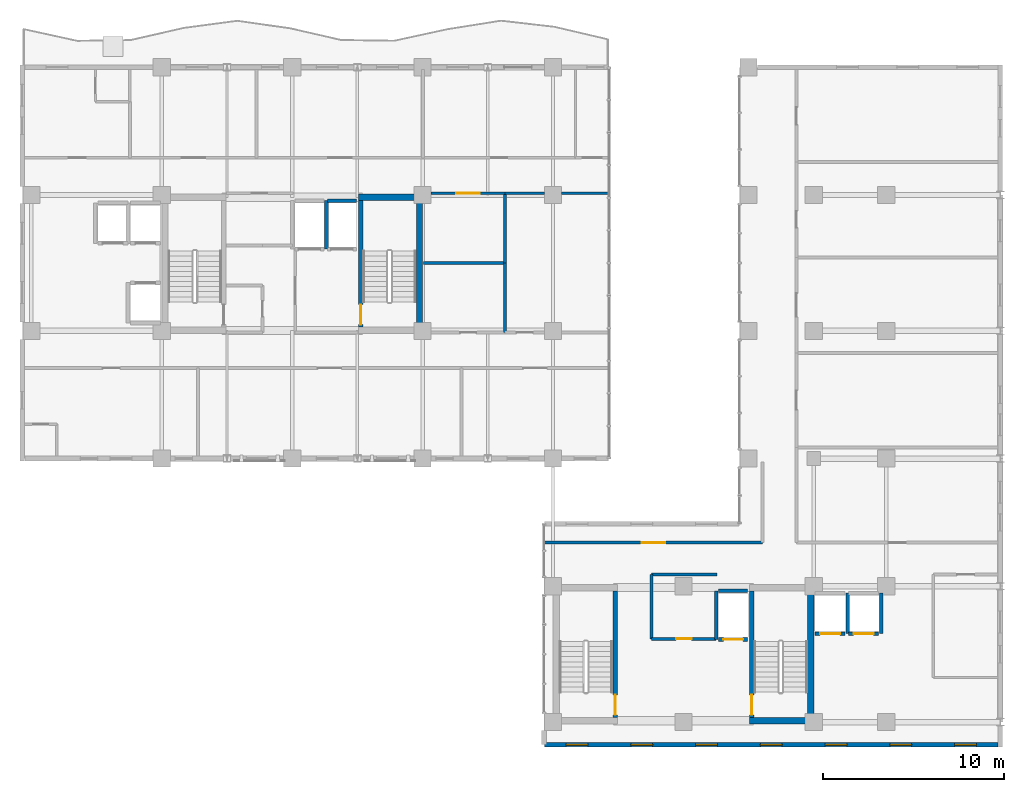
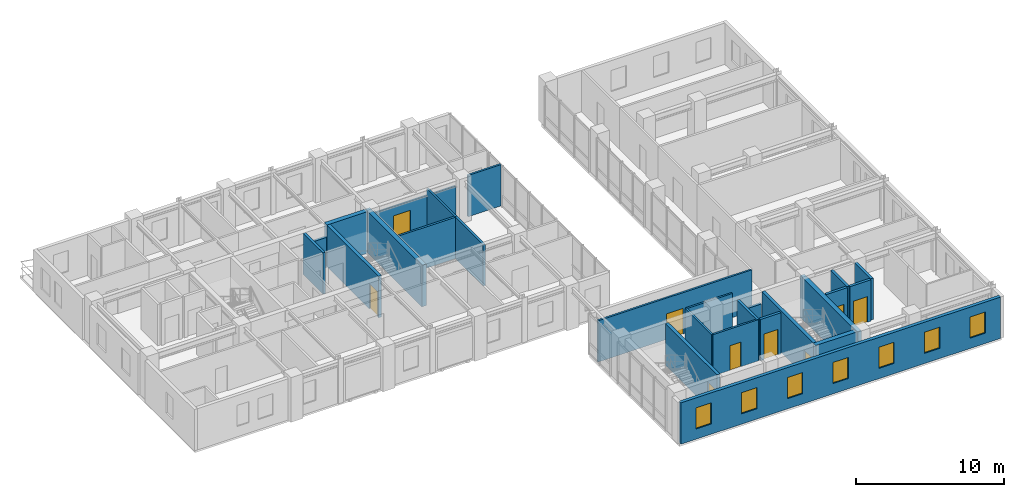
# One storey, part 18 of 24: 27 walls, 9 doors, 7 windows, 16 openings.
"""IFC4 building model written with IfcOpenShell, lengths in metres."""

from ifc_helpers import new_model, si_unit, direction, frame, frame_2d, origin, place, context, subcontext, project, spatial, rectangle, extrude, material, layer, layer_set, type_object, element, fill, save


model = new_model("IFC4")

# Units and contexts
model_context = context("Model", 3, precision=1e-05, world=origin(), true_north=direction((0.0, 1.0)))
body_context = subcontext(model_context, "Body", "Model", "MODEL_VIEW")
ifc_project = project(units=[si_unit("LENGTHUNIT", "METRE"), si_unit("AREAUNIT", "SQUARE_METRE"), si_unit("VOLUMEUNIT", "CUBIC_METRE"), si_unit("PLANEANGLEUNIT", "RADIAN"), si_unit("MASSUNIT", "GRAM", prefix="KILO")], contexts=[model_context])

# Site, building, storey
site_placement = place(None, origin())
site = spatial("IfcSite", under=ifc_project, at=site_placement, CompositionType="ELEMENT")
building_placement = place(site_placement, origin())
building = spatial("IfcBuilding", under=site, at=building_placement, Name="Kaliganga Portal Commons", CompositionType="ELEMENT")
storey_placement = place(building_placement, frame((0.0, 0.0, 235.10009765625)))
storey = spatial("IfcBuildingStorey", under=building, at=storey_placement, Name="L60", CompositionType="ELEMENT", Elevation=235.10009765625)

# Walls
ifc_material_1 = material(Name="Concrete C50/60", Category="concrete")
ifc_layer_1 = layer(ifc_material_1, 0.35009765625)
ifc_layer_set_1 = layer_set([ifc_layer_1], Name="Concrete C50/60")
wall_type_1 = type_object("IfcWallType", Name="WL-CORE-350", PredefinedType="SHEAR", material=ifc_layer_set_1)
wall_1_placement = place(storey_placement, frame((28.625, 28.5, 0.0), z_axis=(0.0, 0.0, 1.0), x_axis=(0.0, 1.0, 0.0)))
element("IfcWall", 1, at=wall_1_placement, inside=storey, type_object=wall_type_1, Name="Core A East Shear Wall L60", PredefinedType="SHEAR", context=body_context, shape_type="SweptSolid", body=[
    extrude(rectangle(XDim=7.699951171875, YDim=0.35009765625, at=frame_2d((3.85009765625, 0.0))), origin(), (0.0, 0.0, 1.0), 3.43994140625),
])
wall_2_placement = place(storey_placement, frame((25.25, 36.02490234375, 0.0), z_axis=(0.0, 0.0, 1.0), x_axis=(1.0, 0.0, 0.0)))
element("IfcWall", 2, at=wall_2_placement, inside=storey, type_object=wall_type_1, Name="Core A N-East Shear Wall L60", PredefinedType="SHEAR", context=body_context, shape_type="SweptSolid", body=[
    extrude(rectangle(XDim=3.199951171875, YDim=0.35009765625, at=frame_2d((1.60009765625, 0.0))), origin(), (0.0, 0.0, 1.0), 3.43994140625),
])
wall_3_placement = place(storey_placement, frame((50.22509765625, 6.949951171875, 0.0), z_axis=(0.0, 0.0, 1.0), x_axis=(0.0, 1.0, 0.0)))
element("IfcWall", 3, at=wall_3_placement, inside=storey, type_object=wall_type_1, Name="Core B East Shear Wall L60", PredefinedType="SHEAR", context=body_context, shape_type="SweptSolid", body=[
    extrude(rectangle(XDim=7.699951171875, YDim=0.35009765625, at=frame_2d((3.85009765625, 0.0))), origin(), (0.0, 0.0, 1.0), 3.43994140625),
])
wall_4_placement = place(storey_placement, frame((46.85009765625, 7.125, 0.0), z_axis=(0.0, 0.0, 1.0), x_axis=(1.0, 0.0, 0.0)))
element("IfcWall", 4, at=wall_4_placement, inside=storey, type_object=wall_type_1, Name="Core B S-East Shear Wall L60", PredefinedType="SHEAR", context=body_context, shape_type="SweptSolid", body=[
    extrude(rectangle(XDim=3.199951171875, YDim=0.35009765625, at=frame_2d((1.60009765625, 0.0))), origin(), (0.0, 0.0, 1.0), 3.43994140625),
])

# Wall, openings, windows
ifc_material_2 = material(Name="Insulated Aluminium-Clad Spandrel Assembly", Category="aluminium")
ifc_layer_2 = layer(ifc_material_2, 0.260009765625)
ifc_layer_set_2 = layer_set([ifc_layer_2], Name="Insulated Aluminium-Clad Spandrel Assembly")
wall_type_2 = type_object("IfcWallType", Name="WL-EXT-SPAND-260", PredefinedType="STANDARD", material=ifc_layer_set_2)
wall_5_placement = place(storey_placement, frame((60.56494140625, 5.800048828125, 0.0), z_axis=(0.0, 0.0, 1.0), x_axis=(-1.0, 0.0, 0.0)))
wall_5 = element("IfcWall", 5, at=wall_5_placement, inside=storey, type_object=wall_type_2, Name="Exterior Envelope Wall L60 P2-E00-S1", PredefinedType="STANDARD", context=body_context, shape_type="SweptSolid", body=[
    extrude(rectangle(XDim=25.02783203125, YDim=0.260009765625, at=frame_2d((12.513916015625, 0.0))), origin(), (0.0, 0.0, 1.0), 3.419921875),
])
opening_1_placement = place(wall_5_placement, frame((1.187744140625, 0.0, 0.85009765625)))
opening_1 = element("IfcOpeningElement", 6, at=opening_1_placement, cuts=wall_5, Name="Opening W-03", PredefinedType="OPENING", context=body_context, shape_type="SweptSolid", body=[
    extrude(rectangle(XDim=1.199951171875, YDim=1.75, at=frame_2d((0.60009765625, 0.875))), frame((0.0, 0.14013671875, 0.0), z_axis=(0.0, -1.0, 0.0), x_axis=(1.0, 0.0, 0.0)), (0.0, 0.0, 1.0), 0.280029296875),
])
opening_2_placement = place(wall_5_placement, frame((4.76318359375, 0.0, 0.85009765625)))
opening_2 = element("IfcOpeningElement", 7, at=opening_2_placement, cuts=wall_5, Name="Opening W-03", PredefinedType="OPENING", context=body_context, shape_type="SweptSolid", body=[
    extrude(rectangle(XDim=1.199951171875, YDim=1.75, at=frame_2d((0.60009765625, 0.875))), frame((0.0, 0.14013671875, 0.0), z_axis=(0.0, -1.0, 0.0), x_axis=(1.0, 0.0, 0.0)), (0.0, 0.0, 1.0), 0.280029296875),
])
opening_3_placement = place(wall_5_placement, frame((8.338623046875, 0.0, 0.85009765625)))
opening_3 = element("IfcOpeningElement", 8, at=opening_3_placement, cuts=wall_5, Name="Opening W-03", PredefinedType="OPENING", context=body_context, shape_type="SweptSolid", body=[
    extrude(rectangle(XDim=1.199951171875, YDim=1.75, at=frame_2d((0.60009765625, 0.875))), frame((0.0, 0.14013671875, 0.0), z_axis=(0.0, -1.0, 0.0), x_axis=(1.0, 0.0, 0.0)), (0.0, 0.0, 1.0), 0.280029296875),
])
opening_4_placement = place(wall_5_placement, frame((11.9140625, 0.0, 0.85009765625)))
opening_4 = element("IfcOpeningElement", 9, at=opening_4_placement, cuts=wall_5, Name="Opening W-03", PredefinedType="OPENING", context=body_context, shape_type="SweptSolid", body=[
    extrude(rectangle(XDim=1.199951171875, YDim=1.75, at=frame_2d((0.60009765625, 0.875))), frame((0.0, 0.14013671875, 0.0), z_axis=(0.0, -1.0, 0.0), x_axis=(1.0, 0.0, 0.0)), (0.0, 0.0, 1.0), 0.280029296875),
])
opening_5_placement = place(wall_5_placement, frame((15.489501953125, 0.0, 0.85009765625)))
opening_5 = element("IfcOpeningElement", 10, at=opening_5_placement, cuts=wall_5, Name="Opening W-03", PredefinedType="OPENING", context=body_context, shape_type="SweptSolid", body=[
    extrude(rectangle(XDim=1.199951171875, YDim=1.75, at=frame_2d((0.60009765625, 0.875))), frame((0.0, 0.14013671875, 0.0), z_axis=(0.0, -1.0, 0.0), x_axis=(1.0, 0.0, 0.0)), (0.0, 0.0, 1.0), 0.280029296875),
])
opening_6_placement = place(wall_5_placement, frame((19.06494140625, 0.0, 0.85009765625)))
opening_6 = element("IfcOpeningElement", 11, at=opening_6_placement, cuts=wall_5, Name="Opening W-03", PredefinedType="OPENING", context=body_context, shape_type="SweptSolid", body=[
    extrude(rectangle(XDim=1.199951171875, YDim=1.75, at=frame_2d((0.60009765625, 0.875))), frame((0.0, 0.14013671875, 0.0), z_axis=(0.0, -1.0, 0.0), x_axis=(1.0, 0.0, 0.0)), (0.0, 0.0, 1.0), 0.280029296875),
])
opening_7_placement = place(wall_5_placement, frame((22.640380859375, 0.0, 0.85009765625)))
opening_7 = element("IfcOpeningElement", 12, at=opening_7_placement, cuts=wall_5, Name="Opening W-03", PredefinedType="OPENING", context=body_context, shape_type="SweptSolid", body=[
    extrude(rectangle(XDim=1.199951171875, YDim=1.75, at=frame_2d((0.60009765625, 0.875))), frame((0.0, 0.14013671875, 0.0), z_axis=(0.0, -1.0, 0.0), x_axis=(1.0, 0.0, 0.0)), (0.0, 0.0, 1.0), 0.280029296875),
])
ifc_material_3 = material(Name="Thermally Broken Aluminium and Low-E Double Glazing", Category="aluminium")
window_type = type_object("IfcWindowType", Name="WIN-STD-1200", PartitioningType="SINGLE_PANEL", PredefinedType="WINDOW", material=ifc_material_3)
window_1_placement = place(opening_1_placement, origin())
window_1 = element("IfcWindow", 13, at=window_1_placement, inside=storey, type_object=window_type, Name="Facade Window L60-P2E00S1-00", OverallHeight=1.75, OverallWidth=1.199951171875, PartitioningType="SINGLE_PANEL", PredefinedType="WINDOW", context=body_context, shape_type="SweptSolid", body=[
    extrude(rectangle(XDim=1.199951171875, YDim=1.75, at=frame_2d((0.60009765625, 0.875))), frame((0.0, 0.030029296875, 0.0), z_axis=(0.0, -1.0, 0.0), x_axis=(1.0, 0.0, 0.0)), (0.0, 0.0, 1.0), 0.06005859375),
])
fill(opening_1, window_1)
window_2_placement = place(opening_2_placement, origin())
window_2 = element("IfcWindow", 14, at=window_2_placement, inside=storey, type_object=window_type, Name="Facade Window L60-P2E00S1-01", OverallHeight=1.75, OverallWidth=1.199951171875, PartitioningType="SINGLE_PANEL", PredefinedType="WINDOW", context=body_context, shape_type="SweptSolid", body=[
    extrude(rectangle(XDim=1.199951171875, YDim=1.75, at=frame_2d((0.60009765625, 0.875))), frame((0.0, 0.030029296875, 0.0), z_axis=(0.0, -1.0, 0.0), x_axis=(1.0, 0.0, 0.0)), (0.0, 0.0, 1.0), 0.06005859375),
])
fill(opening_2, window_2)
window_3_placement = place(opening_3_placement, origin())
window_3 = element("IfcWindow", 15, at=window_3_placement, inside=storey, type_object=window_type, Name="Facade Window L60-P2E00S1-02", OverallHeight=1.75, OverallWidth=1.199951171875, PartitioningType="SINGLE_PANEL", PredefinedType="WINDOW", context=body_context, shape_type="SweptSolid", body=[
    extrude(rectangle(XDim=1.199951171875, YDim=1.75, at=frame_2d((0.60009765625, 0.875))), frame((0.0, 0.030029296875, 0.0), z_axis=(0.0, -1.0, 0.0), x_axis=(1.0, 0.0, 0.0)), (0.0, 0.0, 1.0), 0.06005859375),
])
fill(opening_3, window_3)
window_4_placement = place(opening_4_placement, origin())
window_4 = element("IfcWindow", 16, at=window_4_placement, inside=storey, type_object=window_type, Name="Facade Window L60-P2E00S1-03", OverallHeight=1.75, OverallWidth=1.199951171875, PartitioningType="SINGLE_PANEL", PredefinedType="WINDOW", context=body_context, shape_type="SweptSolid", body=[
    extrude(rectangle(XDim=1.199951171875, YDim=1.75, at=frame_2d((0.60009765625, 0.875))), frame((0.0, 0.030029296875, 0.0), z_axis=(0.0, -1.0, 0.0), x_axis=(1.0, 0.0, 0.0)), (0.0, 0.0, 1.0), 0.06005859375),
])
fill(opening_4, window_4)
window_5_placement = place(opening_5_placement, origin())
window_5 = element("IfcWindow", 17, at=window_5_placement, inside=storey, type_object=window_type, Name="Facade Window L60-P2E00S1-04", OverallHeight=1.75, OverallWidth=1.199951171875, PartitioningType="SINGLE_PANEL", PredefinedType="WINDOW", context=body_context, shape_type="SweptSolid", body=[
    extrude(rectangle(XDim=1.199951171875, YDim=1.75, at=frame_2d((0.60009765625, 0.875))), frame((0.0, 0.030029296875, 0.0), z_axis=(0.0, -1.0, 0.0), x_axis=(1.0, 0.0, 0.0)), (0.0, 0.0, 1.0), 0.06005859375),
])
fill(opening_5, window_5)
window_6_placement = place(opening_6_placement, origin())
window_6 = element("IfcWindow", 18, at=window_6_placement, inside=storey, type_object=window_type, Name="Facade Window L60-P2E00S1-05", OverallHeight=1.75, OverallWidth=1.199951171875, PartitioningType="SINGLE_PANEL", PredefinedType="WINDOW", context=body_context, shape_type="SweptSolid", body=[
    extrude(rectangle(XDim=1.199951171875, YDim=1.75, at=frame_2d((0.60009765625, 0.875))), frame((0.0, 0.030029296875, 0.0), z_axis=(0.0, -1.0, 0.0), x_axis=(1.0, 0.0, 0.0)), (0.0, 0.0, 1.0), 0.06005859375),
])
fill(opening_6, window_6)
window_7_placement = place(opening_7_placement, origin())
window_7 = element("IfcWindow", 19, at=window_7_placement, inside=storey, type_object=window_type, Name="Facade Window L60-P2E00S1-06", OverallHeight=1.75, OverallWidth=1.199951171875, PartitioningType="SINGLE_PANEL", PredefinedType="WINDOW", context=body_context, shape_type="SweptSolid", body=[
    extrude(rectangle(XDim=1.199951171875, YDim=1.75, at=frame_2d((0.60009765625, 0.875))), frame((0.0, 0.030029296875, 0.0), z_axis=(0.0, -1.0, 0.0), x_axis=(1.0, 0.0, 0.0)), (0.0, 0.0, 1.0), 0.06005859375),
])
fill(opening_7, window_7)

# Wall, opening, door
ifc_material_4 = material(Name="Fire-Rated Gypsum Board on Steel Stud", Category="steel")
ifc_layer_3 = layer(ifc_material_4, 0.14990234375)
ifc_layer_set_3 = layer_set([ifc_layer_3], Name="Fire-Rated Gypsum Board on Steel Stud")
wall_type_3 = type_object("IfcWallType", Name="WL-PART-CORR-150", PredefinedType="PARTITIONING", material=ifc_layer_set_3)
wall_6_placement = place(storey_placement, frame((35.52001953125, 16.9599609375, 0.0), z_axis=(0.0, 0.0, 1.0), x_axis=(1.0, 0.0, 0.0)))
wall_6 = element("IfcWall", 20, at=wall_6_placement, inside=storey, type_object=wall_type_3, Name="Interior Partition L60-007", PredefinedType="PARTITIONING", context=body_context, shape_type="SweptSolid", body=[
    extrude(rectangle(XDim=12.0400390625, YDim=0.14990234375, at=frame_2d((6.02001953125, 0.0))), origin(), (0.0, 0.0, 1.0), 3.419921875),
])
opening_8_placement = place(wall_6_placement, frame((5.3701171875, 0.0, 0.0)))
opening_8 = element("IfcOpeningElement", 21, at=opening_8_placement, cuts=wall_6, Name="Opening RD-03", PredefinedType="OPENING", context=body_context, shape_type="SweptSolid", body=[
    extrude(rectangle(XDim=1.300048828125, YDim=2.1201171875, at=frame_2d((0.64990234375, 1.06005859375))), frame((0.0, 0.0849609375, 0.0), z_axis=(0.0, -1.0, 0.0), x_axis=(1.0, 0.0, 0.0)), (0.0, 0.0, 1.0), 0.169921875),
])
ifc_material_5 = material(Name="Glazed Timber Seminar Vision Door", Category="wood")
door_type_1 = type_object("IfcDoorType", Name="DR-STUDY-1300", OperationType="DOUBLE_DOOR_SINGLE_SWING", PredefinedType="DOOR", material=ifc_material_5)
door_1_placement = place(opening_8_placement, origin())
door_1 = element("IfcDoor", 22, at=door_1_placement, inside=storey, type_object=door_type_1, Name="Interior Door L60-BPW01", OperationType="DOUBLE_DOOR_SINGLE_SWING", OverallHeight=2.1201171875, OverallWidth=1.300048828125, PredefinedType="DOOR", context=body_context, shape_type="SweptSolid", body=[
    extrude(rectangle(XDim=1.300048828125, YDim=2.1201171875, at=frame_2d((0.64990234375, 1.06005859375))), frame((0.0, 0.02490234375, 0.0), z_axis=(0.0, -1.0, 0.0), x_axis=(1.0, 0.0, 0.0)), (0.0, 0.0, 1.0), 0.050048828125),
])
fill(opening_8, door_1)

# Walls
wall_7_placement = place(storey_placement, frame((33.360107421875, 36.239990234375, 0.0), z_axis=(0.0, 0.0, 1.0), x_axis=(1.0, 0.0, 0.0)))
element("IfcWall", 23, at=wall_7_placement, inside=storey, type_object=wall_type_3, Name="Interior Partition L60-017", PredefinedType="PARTITIONING", context=body_context, shape_type="SweptSolid", body=[
    extrude(rectangle(XDim=2.164794921875, YDim=0.14990234375, at=frame_2d((1.08251953125, 0.0))), origin(), (0.0, 0.0, 1.0), 2.869873046875),
])
wall_8_placement = place(storey_placement, frame((36.47509765625, 36.239990234375, 0.0), z_axis=(0.0, 0.0, 1.0), x_axis=(1.0, 0.0, 0.0)))
element("IfcWall", 24, at=wall_8_placement, inside=storey, type_object=wall_type_3, Name="Interior Partition L60-018", PredefinedType="PARTITIONING", context=body_context, shape_type="SweptSolid", body=[
    extrude(rectangle(XDim=2.60498046875, YDim=0.14990234375, at=frame_2d((1.302490234375, 0.0))), origin(), (0.0, 0.0, 1.0), 3.419921875),
])

# Wall, opening, door
wall_9_placement = place(storey_placement, frame((29.27490234375, 36.239990234375, 0.0), z_axis=(0.0, 0.0, 1.0), x_axis=(1.0, 0.0, 0.0)))
wall_9 = element("IfcWall", 25, at=wall_9_placement, inside=storey, type_object=wall_type_3, Name="Interior Partition L60-025", PredefinedType="PARTITIONING", context=body_context, shape_type="SweptSolid", body=[
    extrude(rectangle(XDim=4.085205078125, YDim=0.14990234375, at=frame_2d((2.04248046875, 0.0))), origin(), (0.0, 0.0, 1.0), 2.869873046875),
])
opening_9_placement = place(wall_9_placement, frame((1.392578125, 0.0, 0.0)))
opening_9 = element("IfcOpeningElement", 26, at=opening_9_placement, cuts=wall_9, Name="Opening RD-03", PredefinedType="OPENING", context=body_context, shape_type="SweptSolid", body=[
    extrude(rectangle(XDim=1.300048828125, YDim=2.1201171875, at=frame_2d((0.64990234375, 1.06005859375))), frame((0.0, 0.0849609375, 0.0), z_axis=(0.0, -1.0, 0.0), x_axis=(1.0, 0.0, 0.0)), (0.0, 0.0, 1.0), 0.169921875),
])
door_2_placement = place(opening_9_placement, origin())
door_2 = element("IfcDoor", 27, at=door_2_placement, inside=storey, type_object=door_type_1, Name="Interior Door L60-CSRV_A2", OperationType="DOUBLE_DOOR_SINGLE_SWING", OverallHeight=2.1201171875, OverallWidth=1.300048828125, PredefinedType="DOOR", context=body_context, shape_type="SweptSolid", body=[
    extrude(rectangle(XDim=1.300048828125, YDim=2.1201171875, at=frame_2d((0.64990234375, 1.06005859375))), frame((0.0, 0.02490234375, 0.0), z_axis=(0.0, -1.0, 0.0), x_axis=(1.0, 0.0, 0.0)), (0.0, 0.0, 1.0), 0.050048828125),
])
fill(opening_9, door_2)

wall_10_placement = place(storey_placement, frame((41.43994140625, 11.639892578125, 0.0), z_axis=(0.0, 0.0, 1.0), x_axis=(1.0, 0.0, 0.0)))
wall_10 = element("IfcWall", 28, at=wall_10_placement, inside=storey, type_object=wall_type_3, Name="Interior Partition L60-029", PredefinedType="PARTITIONING", context=body_context, shape_type="SweptSolid", body=[
    extrude(rectangle(XDim=3.570068359375, YDim=0.14990234375, at=frame_2d((1.78515625, 0.0))), origin(), (0.0, 0.0, 1.0), 3.419921875),
])
opening_10_placement = place(wall_10_placement, frame((1.360107421875, 0.0, 0.0)))
opening_10 = element("IfcOpeningElement", 29, at=opening_10_placement, cuts=wall_10, Name="Opening WD-01", PredefinedType="OPENING", context=body_context, shape_type="SweptSolid", body=[
    extrude(rectangle(XDim=0.85009765625, YDim=2.0400390625, at=frame_2d((0.425048828125, 1.02001953125))), frame((0.0, 0.0849609375, 0.0), z_axis=(0.0, -1.0, 0.0), x_axis=(1.0, 0.0, 0.0)), (0.0, 0.0, 1.0), 0.169921875),
])
ifc_material_6 = material(Name="Moisture-Resistant Laminate Timber Door", Category="wood")
door_type_2 = type_object("IfcDoorType", Name="DR-WET-850", OperationType="NOTDEFINED", PredefinedType="DOOR", material=ifc_material_6)
door_3_placement = place(opening_10_placement, origin())
door_3 = element("IfcDoor", 30, at=door_3_placement, inside=storey, type_object=door_type_2, Name="Interior Door L60-CREC_B1", OperationType="SINGLE_SWING_LEFT", OverallHeight=2.0400390625, OverallWidth=0.85009765625, PredefinedType="DOOR", context=body_context, shape_type="SweptSolid", body=[
    extrude(rectangle(XDim=0.85009765625, YDim=2.0400390625, at=frame_2d((0.425048828125, 1.02001953125))), frame((0.0, 0.02490234375, 0.0), z_axis=(0.0, -1.0, 0.0), x_axis=(1.0, 0.0, 0.0)), (0.0, 0.0, 1.0), 0.050048828125),
])
fill(opening_10, door_3)

# Walls
wall_11_placement = place(storey_placement, frame((41.43994140625, 15.199951171875, 0.0), z_axis=(0.0, 0.0, 1.0), x_axis=(1.0, 0.0, 0.0)))
element("IfcWall", 31, at=wall_11_placement, inside=storey, type_object=wall_type_3, Name="Interior Partition L60-030", PredefinedType="PARTITIONING", context=body_context, shape_type="SweptSolid", body=[
    extrude(rectangle(XDim=3.60009765625, YDim=0.14990234375, at=frame_2d((1.800048828125, 0.0))), origin(), (0.0, 0.0, 1.0), 3.419921875),
])
wall_12_placement = place(storey_placement, frame((41.43994140625, 11.639892578125, 0.0), z_axis=(0.0, 0.0, 1.0), x_axis=(0.0, 1.0, 0.0)))
element("IfcWall", 32, at=wall_12_placement, inside=storey, type_object=wall_type_3, Name="Interior Partition L60-031", PredefinedType="PARTITIONING", context=body_context, shape_type="SweptSolid", body=[
    extrude(rectangle(XDim=3.56005859375, YDim=0.14990234375, at=frame_2d((1.780029296875, 0.0))), origin(), (0.0, 0.0, 1.0), 3.419921875),
])
ifc_material_7 = material(Name="Twin-Stud Acoustic Gypsum Partition", Category="gypsum")
ifc_layer_4 = layer(ifc_material_7, 0.1650390625)
ifc_layer_set_4 = layer_set([ifc_layer_4], Name="Twin-Stud Acoustic Gypsum Partition")
wall_type_4 = type_object("IfcWallType", Name="WL-PART-UNIT-165", PredefinedType="PARTITIONING", material=ifc_layer_set_4)
wall_13_placement = place(storey_placement, frame((28.840087890625, 32.39990234375, 0.0), z_axis=(0.0, 0.0, 1.0), x_axis=(1.0, 0.0, 0.0)))
element("IfcWall", 33, at=wall_13_placement, inside=storey, type_object=wall_type_4, Name="Interior Partition L60-050", PredefinedType="PARTITIONING", context=body_context, shape_type="SweptSolid", body=[
    extrude(rectangle(XDim=4.52001953125, YDim=0.1650390625, at=frame_2d((2.260009765625, 0.0))), origin(), (0.0, 0.0, 1.0), 3.419921875),
])
wall_14_placement = place(storey_placement, frame((33.360107421875, 32.39990234375, 0.0), z_axis=(0.0, 0.0, 1.0), x_axis=(0.0, 1.0, 0.0)))
element("IfcWall", 34, at=wall_14_placement, inside=storey, type_object=wall_type_4, Name="Interior Partition L60-051", PredefinedType="PARTITIONING", context=body_context, shape_type="SweptSolid", body=[
    extrude(rectangle(XDim=3.840087890625, YDim=0.1650390625, at=frame_2d((1.919921875, 0.0))), origin(), (0.0, 0.0, 1.0), 3.419921875),
])
wall_15_placement = place(storey_placement, frame((33.360107421875, 28.56005859375, 0.0), z_axis=(0.0, 0.0, 1.0), x_axis=(0.0, 1.0, 0.0)))
element("IfcWall", 35, at=wall_15_placement, inside=storey, type_object=wall_type_4, Name="Interior Partition L60-052", PredefinedType="PARTITIONING", context=body_context, shape_type="SweptSolid", body=[
    extrude(rectangle(XDim=3.83984375, YDim=0.1650390625, at=frame_2d((1.919921875, 0.0))), origin(), (0.0, 0.0, 1.0), 3.419921875),
])
ifc_material_8 = material(Name="Fire-Rated Shaftwall Masonry Assembly", Category="masonry")
ifc_layer_5 = layer(ifc_material_8, 0.199951171875)
ifc_layer_set_5 = layer_set([ifc_layer_5], Name="Fire-Rated Shaftwall Masonry Assembly")
wall_type_5 = type_object("IfcWallType", Name="WL-SHAFT-200", PredefinedType="PARTITIONING", material=ifc_layer_set_5)
wall_16_placement = place(storey_placement, frame((23.489990234375, 33.159912109375, 0.0), z_axis=(0.0, 0.0, 1.0), x_axis=(0.0, 1.0, 0.0)))
element("IfcWall", 36, at=wall_16_placement, inside=storey, type_object=wall_type_5, Name="Lift FFL-1 Hoistway Shaft Wall L60-E", PredefinedType="PARTITIONING", context=body_context, shape_type="SweptSolid", body=[
    extrude(rectangle(XDim=2.68017578125, YDim=0.199951171875, at=frame_2d((1.340087890625, 0.0))), origin(), (0.0, 0.0, 1.0), 3.419921875),
])
wall_17_placement = place(storey_placement, frame((23.550048828125, 35.840087890625, 0.0), z_axis=(0.0, 0.0, 1.0), x_axis=(1.0, 0.0, 0.0)))
element("IfcWall", 37, at=wall_17_placement, inside=storey, type_object=wall_type_5, Name="Lift FFL-2 Hoistway Shaft Wall L60-N", PredefinedType="PARTITIONING", context=body_context, shape_type="SweptSolid", body=[
    extrude(rectangle(XDim=1.599853515625, YDim=0.199951171875, at=frame_2d((0.7998046875, 0.0))), origin(), (0.0, 0.0, 1.0), 2.52001953125),
])

# Wall, opening, door
wall_18_placement = place(storey_placement, frame((50.47509765625, 11.93505859375, 0.0), z_axis=(0.0, 0.0, 1.0), x_axis=(1.0, 0.0, 0.0)))
wall_18 = element("IfcWall", 38, at=wall_18_placement, inside=storey, type_object=wall_type_5, Name="Lift PL-B3 Hoistway Shaft Wall L60-S", PredefinedType="PARTITIONING", context=body_context, shape_type="SweptSolid", body=[
    extrude(rectangle(XDim=1.64990234375, YDim=0.199951171875, at=frame_2d((0.824951171875, 0.0))), origin(), (0.0, 0.0, 1.0), 3.419921875),
])
opening_11_placement = place(wall_18_placement, frame((0.27490234375, 0.0, 0.0)))
opening_11 = element("IfcOpeningElement", 39, at=opening_11_placement, cuts=wall_18, Name="Opening LD-01", PredefinedType="OPENING", context=body_context, shape_type="SweptSolid", body=[
    extrude(rectangle(XDim=1.10009765625, YDim=2.1201171875, at=frame_2d((0.550048828125, 1.06005859375))), frame((0.0, 0.10986328125, 0.0), z_axis=(0.0, -1.0, 0.0), x_axis=(1.0, 0.0, 0.0)), (0.0, 0.0, 1.0), 0.219970703125),
])
ifc_material_9 = material(Name="Brushed Stainless Steel 316 Lift Landing Door", Category="steel")
door_type_3 = type_object("IfcDoorType", Name="DR-LIFT-1100", OperationType="SLIDING_TO_LEFT", PredefinedType="DOOR", material=ifc_material_9)
door_4_placement = place(opening_11_placement, origin())
door_4 = element("IfcDoor", 40, at=door_4_placement, inside=storey, type_object=door_type_3, Name="Lift PL-B3 Sliding Landing Door L60", OperationType="SLIDING_TO_LEFT", OverallHeight=2.1201171875, OverallWidth=1.10009765625, PredefinedType="DOOR", context=body_context, shape_type="SweptSolid", body=[
    extrude(rectangle(XDim=1.10009765625, YDim=2.1201171875, at=frame_2d((0.550048828125, 1.06005859375))), frame((0.0, 0.02490234375, 0.0), z_axis=(0.0, -1.0, 0.0), x_axis=(1.0, 0.0, 0.0)), (0.0, 0.0, 1.0), 0.050048828125),
])
fill(opening_11, door_4)

# Wall
wall_19_placement = place(storey_placement, frame((52.264892578125, 11.93505859375, 0.0), z_axis=(0.0, 0.0, 1.0), x_axis=(0.0, 1.0, 0.0)))
element("IfcWall", 41, at=wall_19_placement, inside=storey, type_object=wall_type_5, Name="Lift PL-B3 Hoistway Shaft Wall L60-E", PredefinedType="PARTITIONING", context=body_context, shape_type="SweptSolid", body=[
    extrude(rectangle(XDim=2.22998046875, YDim=0.199951171875, at=frame_2d((1.114990234375, 0.0))), origin(), (0.0, 0.0, 1.0), 3.419921875),
])

# Wall, opening, door
wall_20_placement = place(storey_placement, frame((52.324951171875, 11.93505859375, 0.0), z_axis=(0.0, 0.0, 1.0), x_axis=(1.0, 0.0, 0.0)))
wall_20 = element("IfcWall", 42, at=wall_20_placement, inside=storey, type_object=wall_type_5, Name="Lift PL-B4 Hoistway Shaft Wall L60-S", PredefinedType="PARTITIONING", context=body_context, shape_type="SweptSolid", body=[
    extrude(rectangle(XDim=1.650146484375, YDim=0.199951171875, at=frame_2d((0.8251953125, 0.0))), origin(), (0.0, 0.0, 1.0), 3.419921875),
])
opening_12_placement = place(wall_20_placement, frame((0.27490234375, 0.0, 0.0)))
opening_12 = element("IfcOpeningElement", 43, at=opening_12_placement, cuts=wall_20, Name="Opening LD-01", PredefinedType="OPENING", context=body_context, shape_type="SweptSolid", body=[
    extrude(rectangle(XDim=1.10009765625, YDim=2.1201171875, at=frame_2d((0.550048828125, 1.06005859375))), frame((0.0, 0.10986328125, 0.0), z_axis=(0.0, -1.0, 0.0), x_axis=(1.0, 0.0, 0.0)), (0.0, 0.0, 1.0), 0.219970703125),
])
door_5_placement = place(opening_12_placement, origin())
door_5 = element("IfcDoor", 44, at=door_5_placement, inside=storey, type_object=door_type_3, Name="Lift PL-B4 Sliding Landing Door L60", OperationType="SLIDING_TO_LEFT", OverallHeight=2.1201171875, OverallWidth=1.10009765625, PredefinedType="DOOR", context=body_context, shape_type="SweptSolid", body=[
    extrude(rectangle(XDim=1.10009765625, YDim=2.1201171875, at=frame_2d((0.550048828125, 1.06005859375))), frame((0.0, 0.02490234375, 0.0), z_axis=(0.0, -1.0, 0.0), x_axis=(1.0, 0.0, 0.0)), (0.0, 0.0, 1.0), 0.050048828125),
])
fill(opening_12, door_5)

# Wall
wall_21_placement = place(storey_placement, frame((54.114990234375, 11.93505859375, 0.0), z_axis=(0.0, 0.0, 1.0), x_axis=(0.0, 1.0, 0.0)))
element("IfcWall", 45, at=wall_21_placement, inside=storey, type_object=wall_type_5, Name="Lift PL-B4 Hoistway Shaft Wall L60-E", PredefinedType="PARTITIONING", context=body_context, shape_type="SweptSolid", body=[
    extrude(rectangle(XDim=2.22998046875, YDim=0.199951171875, at=frame_2d((1.114990234375, 0.0))), origin(), (0.0, 0.0, 1.0), 3.419921875),
])

# Wall, opening, door
wall_22_placement = place(storey_placement, frame((45.14990234375, 11.610107421875, 0.0), z_axis=(0.0, 0.0, 1.0), x_axis=(1.0, 0.0, 0.0)))
wall_22 = element("IfcWall", 46, at=wall_22_placement, inside=storey, type_object=wall_type_5, Name="Lift SL-B1 Hoistway Shaft Wall L60-S", PredefinedType="PARTITIONING", context=body_context, shape_type="SweptSolid", body=[
    extrude(rectangle(XDim=1.60009765625, YDim=0.199951171875, at=frame_2d((0.800048828125, 0.0))), origin(), (0.0, 0.0, 1.0), 3.419921875),
])
opening_13_placement = place(wall_22_placement, frame((0.25, 0.0, 0.0)))
opening_13 = element("IfcOpeningElement", 47, at=opening_13_placement, cuts=wall_22, Name="Opening LD-01", PredefinedType="OPENING", context=body_context, shape_type="SweptSolid", body=[
    extrude(rectangle(XDim=1.10009765625, YDim=2.1201171875, at=frame_2d((0.550048828125, 1.06005859375))), frame((0.0, 0.10986328125, 0.0), z_axis=(0.0, -1.0, 0.0), x_axis=(1.0, 0.0, 0.0)), (0.0, 0.0, 1.0), 0.219970703125),
])
door_6_placement = place(opening_13_placement, origin())
door_6 = element("IfcDoor", 48, at=door_6_placement, inside=storey, type_object=door_type_3, Name="Lift SL-B1 Sliding Landing Door L60", OperationType="SLIDING_TO_LEFT", OverallHeight=2.1201171875, OverallWidth=1.10009765625, PredefinedType="DOOR", context=body_context, shape_type="SweptSolid", body=[
    extrude(rectangle(XDim=1.10009765625, YDim=2.1201171875, at=frame_2d((0.550048828125, 1.06005859375))), frame((0.0, 0.02490234375, 0.0), z_axis=(0.0, -1.0, 0.0), x_axis=(1.0, 0.0, 0.0)), (0.0, 0.0, 1.0), 0.050048828125),
])
fill(opening_13, door_6)

# Walls
wall_23_placement = place(storey_placement, frame((45.14990234375, 14.2900390625, 0.0), z_axis=(0.0, 0.0, 1.0), x_axis=(1.0, 0.0, 0.0)))
element("IfcWall", 49, at=wall_23_placement, inside=storey, type_object=wall_type_5, Name="Lift SL-B1 Hoistway Shaft Wall L60-N", PredefinedType="PARTITIONING", context=body_context, shape_type="SweptSolid", body=[
    extrude(rectangle(XDim=1.60009765625, YDim=0.199951171875, at=frame_2d((0.800048828125, 0.0))), origin(), (0.0, 0.0, 1.0), 2.52001953125),
])
wall_24_placement = place(storey_placement, frame((45.010009765625, 11.610107421875, 0.0), z_axis=(0.0, 0.0, 1.0), x_axis=(0.0, 1.0, 0.0)))
element("IfcWall", 50, at=wall_24_placement, inside=storey, type_object=wall_type_5, Name="Lift SL-B1 Hoistway Shaft Wall L60-W", PredefinedType="PARTITIONING", context=body_context, shape_type="SweptSolid", body=[
    extrude(rectangle(XDim=2.679931640625, YDim=0.199951171875, at=frame_2d((1.33984375, 0.0))), origin(), (0.0, 0.0, 1.0), 3.419921875),
])

# Wall, opening, door
ifc_layer_6 = layer(ifc_material_1, 0.25)
ifc_layer_set_6 = layer_set([ifc_layer_6], Name="Concrete C50/60")
wall_type_6 = type_object("IfcWallType", Name="WL-STAIR-250", PredefinedType="SHEAR", material=ifc_layer_set_6)
wall_25_placement = place(storey_placement, frame((25.375, 28.85009765625, 0.0), z_axis=(0.0, 0.0, 1.0), x_axis=(0.0, 1.0, 0.0)))
wall_25 = element("IfcWall", 51, at=wall_25_placement, inside=storey, type_object=wall_type_6, Name="Stair A2 Enclosure Shear Wall L60", PredefinedType="SHEAR", context=body_context, shape_type="SweptSolid", body=[
    extrude(rectangle(XDim=7.0, YDim=0.25, at=frame_2d((3.5, 0.0))), origin(), (0.0, 0.0, 1.0), 3.43994140625),
])
opening_14_placement = place(wall_25_placement, frame((0.14990234375, 0.0, 0.0)))
opening_14 = element("IfcOpeningElement", 52, at=opening_14_placement, cuts=wall_25, Name="Opening SD-01", PredefinedType="OPENING", context=body_context, shape_type="SweptSolid", body=[
    extrude(rectangle(XDim=1.10009765625, YDim=2.080078125, at=frame_2d((0.550048828125, 1.0400390625))), frame((0.0, 0.135009765625, 0.0), z_axis=(0.0, -1.0, 0.0), x_axis=(1.0, 0.0, 0.0)), (0.0, 0.0, 1.0), 0.27001953125),
])
ifc_material_10 = material(Name="Galvanized Steel Fire Door Leaf and Frame", Category="steel")
door_type_4 = type_object("IfcDoorType", Name="DR-STAIR-1100", OperationType="NOTDEFINED", PredefinedType="DOOR", material=ifc_material_10)
door_7_placement = place(opening_14_placement, origin())
door_7 = element("IfcDoor", 53, at=door_7_placement, inside=storey, type_object=door_type_4, Name="Protected Stair ST-A2 Fire Door L60", OperationType="SINGLE_SWING_LEFT", OverallHeight=2.080078125, OverallWidth=1.10009765625, PredefinedType="DOOR", context=body_context, shape_type="SweptSolid", body=[
    extrude(rectangle(XDim=1.10009765625, YDim=2.080078125, at=frame_2d((0.550048828125, 1.0400390625))), frame((0.0, 0.02490234375, 0.0), z_axis=(0.0, -1.0, 0.0), x_axis=(1.0, 0.0, 0.0)), (0.0, 0.0, 1.0), 0.050048828125),
])
fill(opening_14, door_7)

wall_26_placement = place(storey_placement, frame((39.425048828125, 7.300048828125, 0.0), z_axis=(0.0, 0.0, 1.0), x_axis=(0.0, 1.0, 0.0)))
wall_26 = element("IfcWall", 54, at=wall_26_placement, inside=storey, type_object=wall_type_6, Name="Stair B1 Enclosure Shear Wall L60", PredefinedType="SHEAR", context=body_context, shape_type="SweptSolid", body=[
    extrude(rectangle(XDim=7.0, YDim=0.25, at=frame_2d((3.5, 0.0))), origin(), (0.0, 0.0, 1.0), 3.43994140625),
])
opening_15_placement = place(wall_26_placement, frame((0.14990234375, 0.0, 0.0)))
opening_15 = element("IfcOpeningElement", 55, at=opening_15_placement, cuts=wall_26, Name="Opening SD-01", PredefinedType="OPENING", context=body_context, shape_type="SweptSolid", body=[
    extrude(rectangle(XDim=1.10009765625, YDim=2.080078125, at=frame_2d((0.550048828125, 1.0400390625))), frame((0.0, 0.135009765625, 0.0), z_axis=(0.0, -1.0, 0.0), x_axis=(1.0, 0.0, 0.0)), (0.0, 0.0, 1.0), 0.27001953125),
])
door_8_placement = place(opening_15_placement, origin())
door_8 = element("IfcDoor", 56, at=door_8_placement, inside=storey, type_object=door_type_4, Name="Protected Stair ST-B1 Fire Door L60", OperationType="SINGLE_SWING_RIGHT", OverallHeight=2.080078125, OverallWidth=1.10009765625, PredefinedType="DOOR", context=body_context, shape_type="SweptSolid", body=[
    extrude(rectangle(XDim=1.10009765625, YDim=2.080078125, at=frame_2d((0.550048828125, 1.0400390625))), frame((0.0, 0.02490234375, 0.0), z_axis=(0.0, -1.0, 0.0), x_axis=(1.0, 0.0, 0.0)), (0.0, 0.0, 1.0), 0.050048828125),
])
fill(opening_15, door_8)

wall_27_placement = place(storey_placement, frame((46.97509765625, 7.300048828125, 0.0), z_axis=(0.0, 0.0, 1.0), x_axis=(0.0, 1.0, 0.0)))
wall_27 = element("IfcWall", 57, at=wall_27_placement, inside=storey, type_object=wall_type_6, Name="Stair B2 Enclosure Shear Wall L60", PredefinedType="SHEAR", context=body_context, shape_type="SweptSolid", body=[
    extrude(rectangle(XDim=7.0, YDim=0.25, at=frame_2d((3.5, 0.0))), origin(), (0.0, 0.0, 1.0), 3.43994140625),
])
opening_16_placement = place(wall_27_placement, frame((0.14990234375, 0.0, 0.0)))
opening_16 = element("IfcOpeningElement", 58, at=opening_16_placement, cuts=wall_27, Name="Opening SD-01", PredefinedType="OPENING", context=body_context, shape_type="SweptSolid", body=[
    extrude(rectangle(XDim=1.10009765625, YDim=2.080078125, at=frame_2d((0.550048828125, 1.0400390625))), frame((0.0, 0.135009765625, 0.0), z_axis=(0.0, -1.0, 0.0), x_axis=(1.0, 0.0, 0.0)), (0.0, 0.0, 1.0), 0.27001953125),
])
door_9_placement = place(opening_16_placement, origin())
door_9 = element("IfcDoor", 59, at=door_9_placement, inside=storey, type_object=door_type_4, Name="Protected Stair ST-B2 Fire Door L60", OperationType="SINGLE_SWING_LEFT", OverallHeight=2.080078125, OverallWidth=1.10009765625, PredefinedType="DOOR", context=body_context, shape_type="SweptSolid", body=[
    extrude(rectangle(XDim=1.10009765625, YDim=2.080078125, at=frame_2d((0.550048828125, 1.0400390625))), frame((0.0, 0.02490234375, 0.0), z_axis=(0.0, -1.0, 0.0), x_axis=(1.0, 0.0, 0.0)), (0.0, 0.0, 1.0), 0.050048828125),
])
fill(opening_16, door_9)

save(model, "model.ifc")
